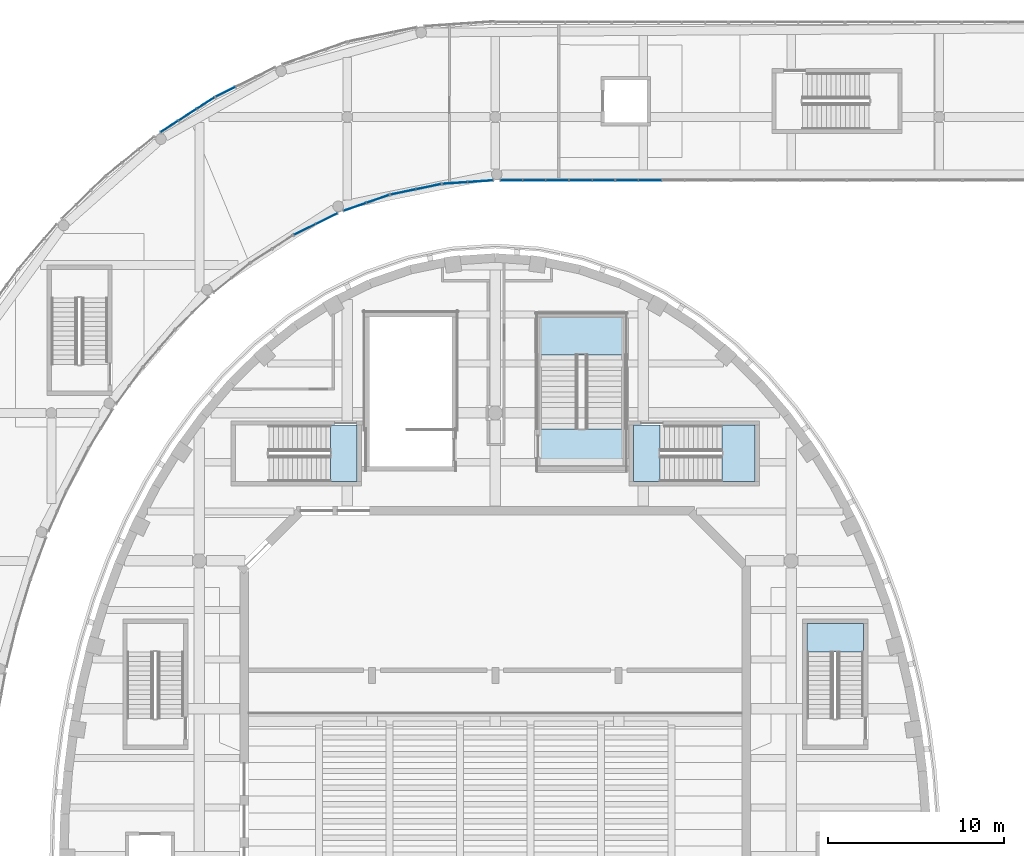
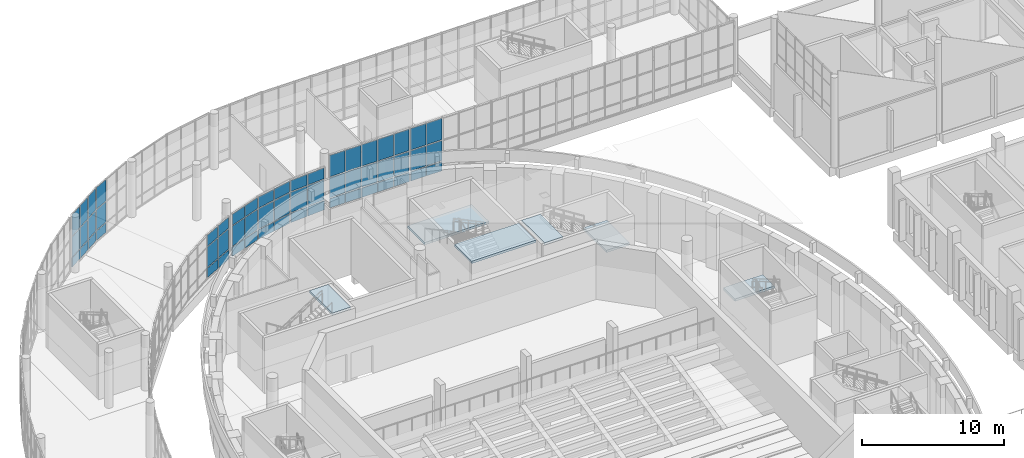
# One storey, part 52 of 119: 57 plates, 6 slabs, 12 elements without a shape of their own.
"""IFC4 building model written with IfcOpenShell, lengths in metres."""

from ifc_helpers import new_model, si_unit, direction, frame, origin, origin_2d, place, context, subcontext, project, spatial, polyline, rectangle, outline, extrude, material, layer, layer_set, type_object, element, aggregate, save


model = new_model("IFC4")

# Units and contexts
model_context = context("Model", 3, precision=1e-05, world=origin(), true_north=direction((0.0, 1.0)))
body_context = subcontext(model_context, "Body", "Model", "MODEL_VIEW")
ifc_project = project(units=[si_unit("LENGTHUNIT", "METRE"), si_unit("AREAUNIT", "SQUARE_METRE"), si_unit("VOLUMEUNIT", "CUBIC_METRE"), si_unit("PLANEANGLEUNIT", "RADIAN"), si_unit("MASSUNIT", "GRAM", prefix="KILO")], contexts=[model_context])

# Site, building, storey
site_placement = place(None, origin())
site = spatial("IfcSite", under=ifc_project, at=site_placement, CompositionType="ELEMENT")
building_placement = place(site_placement, origin())
building = spatial("IfcBuilding", under=site, at=building_placement, Name="Larchfold Concert Hall", CompositionType="ELEMENT")
storey_placement = place(building_placement, frame((0.0, 0.0, 4.800048828125)))
storey = spatial("IfcBuildingStorey", under=building, at=storey_placement, Name="L01", CompositionType="ELEMENT", Elevation=4.800048828125)

# Curtain wall, plates
ifc_material_1 = material(Name="Anodised graphite aluminium curtain wall", Category="aluminium")
ifc_layer_1 = layer(ifc_material_1, 0.14990234375)
ifc_layer_set_1 = layer_set([ifc_layer_1], Name="Anodised graphite aluminium curtain wall")
curtain_wall_type = type_object("IfcCurtainWallType", Name="Curtain wall WG", PredefinedType="NOTDEFINED", material=ifc_layer_set_1)
curtain_wall_1_placement = place(storey_placement, origin())
curtain_wall_1 = element("IfcCurtainWall", 1, at=curtain_wall_1_placement, inside=storey, type_object=curtain_wall_type, Name="Curtain wall CW0162", PredefinedType="NOTDEFINED")
ifc_material_2 = material(Name="Insulated glazing unit, glass", Category="glass")
ifc_layer_2 = layer(ifc_material_2, 0.028076171875)
ifc_layer_set_2 = layer_set([ifc_layer_2], Name="Insulated glazing unit, glass")
plate_type_1 = type_object("IfcPlateType", Name="Glass panel 28", PredefinedType="CURTAIN_PANEL", material=ifc_layer_set_2)
plate_1_placement = place(storey_placement, frame((31.788330078125, 120.216796875, 0.93994140625), z_axis=(0.0, 0.0, 1.0), x_axis=(0.896864773907, 0.442304846598, 0.0)))
plate_1 = element("IfcPlate", 2, at=plate_1_placement, type_object=plate_type_1, Name="CW0162 panel 1.2", PredefinedType="CURTAIN_PANEL", context=body_context, shape_type="SweptSolid", body=[
    extrude(rectangle(XDim=1.324462890625, YDim=0.028076171875, at=origin_2d()), origin(), (0.0, 0.0, 1.0), 1.719970703125),
])
plate_2_placement = place(storey_placement, frame((31.788330078125, 120.216796875, 2.740234375), z_axis=(0.0, 0.0, 1.0), x_axis=(0.896864773907, 0.442304846598, 0.0)))
plate_2 = element("IfcPlate", 3, at=plate_2_placement, type_object=plate_type_1, Name="CW0162 panel 1.3", PredefinedType="CURTAIN_PANEL", context=body_context, shape_type="SweptSolid", body=[
    extrude(rectangle(XDim=1.324462890625, YDim=0.028076171875, at=origin_2d()), origin(), (0.0, 0.0, 1.0), 0.929931640625),
])
plate_3_placement = place(storey_placement, frame((33.030029296875, 120.829345703125, 0.93994140625), z_axis=(0.0, 0.0, 1.0), x_axis=(0.896864773907, 0.442304846598, 0.0)))
plate_3 = element("IfcPlate", 4, at=plate_3_placement, type_object=plate_type_1, Name="CW0162 panel 2.2", PredefinedType="CURTAIN_PANEL", context=body_context, shape_type="SweptSolid", body=[
    extrude(rectangle(XDim=1.324462890625, YDim=0.028076171875, at=origin_2d()), origin(), (0.0, 0.0, 1.0), 1.719970703125),
])
plate_4_placement = place(storey_placement, frame((33.030029296875, 120.829345703125, 2.740234375), z_axis=(0.0, 0.0, 1.0), x_axis=(0.896864773907, 0.442304846598, 0.0)))
plate_4 = element("IfcPlate", 5, at=plate_4_placement, type_object=plate_type_1, Name="CW0162 panel 2.3", PredefinedType="CURTAIN_PANEL", context=body_context, shape_type="SweptSolid", body=[
    extrude(rectangle(XDim=1.324462890625, YDim=0.028076171875, at=origin_2d()), origin(), (0.0, 0.0, 1.0), 0.929931640625),
])

curtain_wall_2_placement = place(storey_placement, origin())
curtain_wall_2 = element("IfcCurtainWall", 6, at=curtain_wall_2_placement, inside=storey, type_object=curtain_wall_type, Name="Curtain wall CW0163", PredefinedType="NOTDEFINED")
plate_5_placement = place(storey_placement, frame((34.627685546875, 121.49609375, 0.93994140625), z_axis=(0.0, 0.0, 1.0), x_axis=(0.944341810504, 0.32896587199, 0.0)))
plate_5 = element("IfcPlate", 7, at=plate_5_placement, type_object=plate_type_1, Name="CW0163 panel 1.2", PredefinedType="CURTAIN_PANEL", context=body_context, shape_type="SweptSolid", body=[
    extrude(rectangle(XDim=1.32421875, YDim=0.028076171875, at=origin_2d()), origin(), (0.0, 0.0, 1.0), 1.719970703125),
])
plate_6_placement = place(storey_placement, frame((34.627685546875, 121.49609375, 2.740234375), z_axis=(0.0, 0.0, 1.0), x_axis=(0.944341810504, 0.32896587199, 0.0)))
plate_6 = element("IfcPlate", 8, at=plate_6_placement, type_object=plate_type_1, Name="CW0163 panel 1.3", PredefinedType="CURTAIN_PANEL", context=body_context, shape_type="SweptSolid", body=[
    extrude(rectangle(XDim=1.32421875, YDim=0.028076171875, at=origin_2d()), origin(), (0.0, 0.0, 1.0), 0.929931640625),
])
plate_7_placement = place(storey_placement, frame((35.934814453125, 121.951416015625, 0.93994140625), z_axis=(0.0, 0.0, 1.0), x_axis=(0.944341810504, 0.32896587199, 0.0)))
plate_7 = element("IfcPlate", 9, at=plate_7_placement, type_object=plate_type_1, Name="CW0163 panel 2.2", PredefinedType="CURTAIN_PANEL", context=body_context, shape_type="SweptSolid", body=[
    extrude(rectangle(XDim=1.32421875, YDim=0.028076171875, at=origin_2d()), origin(), (0.0, 0.0, 1.0), 1.719970703125),
])
plate_8_placement = place(storey_placement, frame((35.934814453125, 121.951416015625, 2.740234375), z_axis=(0.0, 0.0, 1.0), x_axis=(0.944341810504, 0.32896587199, 0.0)))
plate_8 = element("IfcPlate", 10, at=plate_8_placement, type_object=plate_type_1, Name="CW0163 panel 2.3", PredefinedType="CURTAIN_PANEL", context=body_context, shape_type="SweptSolid", body=[
    extrude(rectangle(XDim=1.32421875, YDim=0.028076171875, at=origin_2d()), origin(), (0.0, 0.0, 1.0), 0.929931640625),
])

curtain_wall_3_placement = place(storey_placement, origin())
curtain_wall_3 = element("IfcCurtainWall", 11, at=curtain_wall_3_placement, inside=storey, type_object=curtain_wall_type, Name="Curtain wall CW0164", PredefinedType="NOTDEFINED")
plate_9_placement = place(storey_placement, frame((37.370361328125, 122.34521484375, 0.93994140625), z_axis=(0.0, 0.0, 1.0), x_axis=(0.979165703957, 0.203062857741, 0.0)))
plate_9 = element("IfcPlate", 12, at=plate_9_placement, type_object=plate_type_1, Name="CW0164 panel 1.2", PredefinedType="CURTAIN_PANEL", context=body_context, shape_type="SweptSolid", body=[
    extrude(rectangle(XDim=1.41943359375, YDim=0.028076171875, at=origin_2d()), origin(), (0.0, 0.0, 1.0), 1.719970703125),
])
plate_10_placement = place(storey_placement, frame((37.370361328125, 122.34521484375, 2.740234375), z_axis=(0.0, 0.0, 1.0), x_axis=(0.979165703957, 0.203062857741, 0.0)))
plate_10 = element("IfcPlate", 13, at=plate_10_placement, type_object=plate_type_1, Name="CW0164 panel 1.3", PredefinedType="CURTAIN_PANEL", context=body_context, shape_type="SweptSolid", body=[
    extrude(rectangle(XDim=1.41943359375, YDim=0.028076171875, at=origin_2d()), origin(), (0.0, 0.0, 1.0), 0.929931640625),
])
plate_11_placement = place(storey_placement, frame((38.819091796875, 122.645751953125, 0.93994140625), z_axis=(0.0, 0.0, 1.0), x_axis=(0.979165703957, 0.203062857741, 0.0)))
plate_11 = element("IfcPlate", 14, at=plate_11_placement, type_object=plate_type_1, Name="CW0164 panel 2.2", PredefinedType="CURTAIN_PANEL", context=body_context, shape_type="SweptSolid", body=[
    extrude(rectangle(XDim=1.41943359375, YDim=0.028076171875, at=origin_2d()), origin(), (0.0, 0.0, 1.0), 1.719970703125),
])
plate_12_placement = place(storey_placement, frame((38.819091796875, 122.645751953125, 2.740234375), z_axis=(0.0, 0.0, 1.0), x_axis=(0.979165703957, 0.203062857741, 0.0)))
plate_12 = element("IfcPlate", 15, at=plate_12_placement, type_object=plate_type_1, Name="CW0164 panel 2.3", PredefinedType="CURTAIN_PANEL", context=body_context, shape_type="SweptSolid", body=[
    extrude(rectangle(XDim=1.41943359375, YDim=0.028076171875, at=origin_2d()), origin(), (0.0, 0.0, 1.0), 0.929931640625),
])

curtain_wall_4_placement = place(storey_placement, origin())
curtain_wall_4 = element("IfcCurtainWall", 16, at=curtain_wall_4_placement, inside=storey, type_object=curtain_wall_type, Name="Curtain wall CW0165", PredefinedType="NOTDEFINED")
plate_13_placement = place(storey_placement, frame((40.323486328125, 122.853759765625, 0.93994140625), z_axis=(0.0, 0.0, 1.0), x_axis=(0.997637375842, 0.068699827674, 0.0)))
plate_13 = element("IfcPlate", 17, at=plate_13_placement, type_object=plate_type_1, Name="CW0165 panel 1.2", PredefinedType="CURTAIN_PANEL", context=body_context, shape_type="SweptSolid", body=[
    extrude(rectangle(XDim=1.384765625, YDim=0.028076171875, at=origin_2d()), origin(), (0.0, 0.0, 1.0), 1.719970703125),
])
plate_14_placement = place(storey_placement, frame((40.323486328125, 122.853759765625, 2.740234375), z_axis=(0.0, 0.0, 1.0), x_axis=(0.997637375842, 0.068699827674, 0.0)))
plate_14 = element("IfcPlate", 18, at=plate_14_placement, type_object=plate_type_1, Name="CW0165 panel 1.3", PredefinedType="CURTAIN_PANEL", context=body_context, shape_type="SweptSolid", body=[
    extrude(rectangle(XDim=1.384765625, YDim=0.028076171875, at=origin_2d()), origin(), (0.0, 0.0, 1.0), 0.929931640625),
])
plate_15_placement = place(storey_placement, frame((41.7646484375, 122.952880859375, 0.93994140625), z_axis=(0.0, 0.0, 1.0), x_axis=(0.997637375842, 0.068699827674, 0.0)))
plate_15 = element("IfcPlate", 19, at=plate_15_placement, type_object=plate_type_1, Name="CW0165 panel 2.2", PredefinedType="CURTAIN_PANEL", context=body_context, shape_type="SweptSolid", body=[
    extrude(rectangle(XDim=1.384765625, YDim=0.028076171875, at=origin_2d()), origin(), (0.0, 0.0, 1.0), 1.719970703125),
])
plate_16_placement = place(storey_placement, frame((41.7646484375, 122.952880859375, 2.740234375), z_axis=(0.0, 0.0, 1.0), x_axis=(0.997637375842, 0.068699827674, 0.0)))
plate_16 = element("IfcPlate", 20, at=plate_16_placement, type_object=plate_type_1, Name="CW0165 panel 2.3", PredefinedType="CURTAIN_PANEL", context=body_context, shape_type="SweptSolid", body=[
    extrude(rectangle(XDim=1.384765625, YDim=0.028076171875, at=origin_2d()), origin(), (0.0, 0.0, 1.0), 0.929931640625),
])

curtain_wall_5_placement = place(storey_placement, origin())
curtain_wall_5 = element("IfcCurtainWall", 21, at=curtain_wall_5_placement, inside=storey, type_object=curtain_wall_type, Name="Curtain wall CW0166", PredefinedType="NOTDEFINED")
plate_17_placement = place(storey_placement, frame((43.513671875, 123.0, 0.93994140625), z_axis=(0.0, 0.0, 1.0), x_axis=(1.0, 0.0, 0.0)))
plate_17 = element("IfcPlate", 22, at=plate_17_placement, type_object=plate_type_1, Name="CW0166 panel 1.2", PredefinedType="CURTAIN_PANEL", context=body_context, shape_type="SweptSolid", body=[
    extrude(rectangle(XDim=1.22412109375, YDim=0.028076171875, at=origin_2d()), origin(), (0.0, 0.0, 1.0), 1.719970703125),
])
plate_18_placement = place(storey_placement, frame((43.513671875, 123.0, 2.740234375), z_axis=(0.0, 0.0, 1.0), x_axis=(1.0, 0.0, 0.0)))
plate_18 = element("IfcPlate", 23, at=plate_18_placement, type_object=plate_type_1, Name="CW0166 panel 1.3", PredefinedType="CURTAIN_PANEL", context=body_context, shape_type="SweptSolid", body=[
    extrude(rectangle(XDim=1.22412109375, YDim=0.028076171875, at=origin_2d()), origin(), (0.0, 0.0, 1.0), 1.829833984375),
])
plate_19_placement = place(storey_placement, frame((44.812744140625, 123.0, 0.93994140625), z_axis=(0.0, 0.0, 1.0), x_axis=(1.0, 0.0, 0.0)))
plate_19 = element("IfcPlate", 24, at=plate_19_placement, type_object=plate_type_1, Name="CW0166 panel 2.2", PredefinedType="CURTAIN_PANEL", context=body_context, shape_type="SweptSolid", body=[
    extrude(rectangle(XDim=1.254150390625, YDim=0.028076171875, at=origin_2d()), origin(), (0.0, 0.0, 1.0), 1.719970703125),
])
plate_20_placement = place(storey_placement, frame((44.812744140625, 123.0, 2.740234375), z_axis=(0.0, 0.0, 1.0), x_axis=(1.0, 0.0, 0.0)))
plate_20 = element("IfcPlate", 25, at=plate_20_placement, type_object=plate_type_1, Name="CW0166 panel 2.3", PredefinedType="CURTAIN_PANEL", context=body_context, shape_type="SweptSolid", body=[
    extrude(rectangle(XDim=1.254150390625, YDim=0.028076171875, at=origin_2d()), origin(), (0.0, 0.0, 1.0), 1.829833984375),
])
plate_21_placement = place(storey_placement, frame((46.126708984375, 123.0, 0.93994140625), z_axis=(0.0, 0.0, 1.0), x_axis=(1.0, 0.0, 0.0)))
plate_21 = element("IfcPlate", 26, at=plate_21_placement, type_object=plate_type_1, Name="CW0166 panel 3.2", PredefinedType="CURTAIN_PANEL", context=body_context, shape_type="SweptSolid", body=[
    extrude(rectangle(XDim=1.254150390625, YDim=0.028076171875, at=origin_2d()), origin(), (0.0, 0.0, 1.0), 1.719970703125),
])
plate_22_placement = place(storey_placement, frame((46.126708984375, 123.0, 2.740234375), z_axis=(0.0, 0.0, 1.0), x_axis=(1.0, 0.0, 0.0)))
plate_22 = element("IfcPlate", 27, at=plate_22_placement, type_object=plate_type_1, Name="CW0166 panel 3.3", PredefinedType="CURTAIN_PANEL", context=body_context, shape_type="SweptSolid", body=[
    extrude(rectangle(XDim=1.254150390625, YDim=0.028076171875, at=origin_2d()), origin(), (0.0, 0.0, 1.0), 1.829833984375),
])
plate_23_placement = place(storey_placement, frame((47.440673828125, 123.0, 0.93994140625), z_axis=(0.0, 0.0, 1.0), x_axis=(1.0, 0.0, 0.0)))
plate_23 = element("IfcPlate", 28, at=plate_23_placement, type_object=plate_type_1, Name="CW0166 panel 4.2", PredefinedType="CURTAIN_PANEL", context=body_context, shape_type="SweptSolid", body=[
    extrude(rectangle(XDim=1.254150390625, YDim=0.028076171875, at=origin_2d()), origin(), (0.0, 0.0, 1.0), 1.719970703125),
])
plate_24_placement = place(storey_placement, frame((47.440673828125, 123.0, 2.740234375), z_axis=(0.0, 0.0, 1.0), x_axis=(1.0, 0.0, 0.0)))
plate_24 = element("IfcPlate", 29, at=plate_24_placement, type_object=plate_type_1, Name="CW0166 panel 4.3", PredefinedType="CURTAIN_PANEL", context=body_context, shape_type="SweptSolid", body=[
    extrude(rectangle(XDim=1.254150390625, YDim=0.028076171875, at=origin_2d()), origin(), (0.0, 0.0, 1.0), 1.829833984375),
])
plate_25_placement = place(storey_placement, frame((48.73974609375, 123.0, 0.93994140625), z_axis=(0.0, 0.0, 1.0), x_axis=(1.0, 0.0, 0.0)))
plate_25 = element("IfcPlate", 30, at=plate_25_placement, type_object=plate_type_1, Name="CW0166 panel 5.2", PredefinedType="CURTAIN_PANEL", context=body_context, shape_type="SweptSolid", body=[
    extrude(rectangle(XDim=1.22412109375, YDim=0.028076171875, at=origin_2d()), origin(), (0.0, 0.0, 1.0), 1.719970703125),
])
plate_26_placement = place(storey_placement, frame((48.73974609375, 123.0, 2.740234375), z_axis=(0.0, 0.0, 1.0), x_axis=(1.0, 0.0, 0.0)))
plate_26 = element("IfcPlate", 31, at=plate_26_placement, type_object=plate_type_1, Name="CW0166 panel 5.3", PredefinedType="CURTAIN_PANEL", context=body_context, shape_type="SweptSolid", body=[
    extrude(rectangle(XDim=1.22412109375, YDim=0.028076171875, at=origin_2d()), origin(), (0.0, 0.0, 1.0), 1.829833984375),
])

curtain_wall_6_placement = place(storey_placement, origin())
curtain_wall_6 = element("IfcCurtainWall", 32, at=curtain_wall_6_placement, inside=storey, type_object=curtain_wall_type, Name="Curtain wall CW0167", PredefinedType="NOTDEFINED")
plate_27_placement = place(storey_placement, frame((50.083984375, 123.0, 0.93994140625), z_axis=(0.0, 0.0, 1.0), x_axis=(1.0, 0.0, 0.0)))
plate_27 = element("IfcPlate", 33, at=plate_27_placement, type_object=plate_type_1, Name="CW0167 panel 1.2", PredefinedType="CURTAIN_PANEL", context=body_context, shape_type="SweptSolid", body=[
    extrude(rectangle(XDim=1.22412109375, YDim=0.028076171875, at=origin_2d()), origin(), (0.0, 0.0, 1.0), 1.719970703125),
])
plate_28_placement = place(storey_placement, frame((50.083984375, 123.0, 2.740234375), z_axis=(0.0, 0.0, 1.0), x_axis=(1.0, 0.0, 0.0)))
plate_28 = element("IfcPlate", 34, at=plate_28_placement, type_object=plate_type_1, Name="CW0167 panel 1.3", PredefinedType="CURTAIN_PANEL", context=body_context, shape_type="SweptSolid", body=[
    extrude(rectangle(XDim=1.22412109375, YDim=0.028076171875, at=origin_2d()), origin(), (0.0, 0.0, 1.0), 1.829833984375),
])
plate_29_placement = place(storey_placement, frame((51.3828125, 123.0, 0.93994140625), z_axis=(0.0, 0.0, 1.0), x_axis=(1.0, 0.0, 0.0)))
plate_29 = element("IfcPlate", 35, at=plate_29_placement, type_object=plate_type_1, Name="CW0167 panel 2.2", PredefinedType="CURTAIN_PANEL", context=body_context, shape_type="SweptSolid", body=[
    extrude(rectangle(XDim=1.25390625, YDim=0.028076171875, at=origin_2d()), origin(), (0.0, 0.0, 1.0), 1.719970703125),
])
plate_30_placement = place(storey_placement, frame((51.3828125, 123.0, 2.740234375), z_axis=(0.0, 0.0, 1.0), x_axis=(1.0, 0.0, 0.0)))
plate_30 = element("IfcPlate", 36, at=plate_30_placement, type_object=plate_type_1, Name="CW0167 panel 2.3", PredefinedType="CURTAIN_PANEL", context=body_context, shape_type="SweptSolid", body=[
    extrude(rectangle(XDim=1.25390625, YDim=0.028076171875, at=origin_2d()), origin(), (0.0, 0.0, 1.0), 1.829833984375),
])

curtain_wall_7_placement = place(storey_placement, origin())
curtain_wall_7 = element("IfcCurtainWall", 37, at=curtain_wall_7_placement, inside=storey, type_object=curtain_wall_type, Name="Curtain wall CW0180", PredefinedType="NOTDEFINED")
plate_31_placement = place(storey_placement, frame((27.285888671875, 128.03125, 0.93994140625), z_axis=(0.0, 0.0, 1.0), x_axis=(-0.896826030069, -0.44238339909, 0.0)))
plate_31 = element("IfcPlate", 38, at=plate_31_placement, type_object=plate_type_1, Name="CW0180 panel 3.2", PredefinedType="CURTAIN_PANEL", context=body_context, shape_type="SweptSolid", body=[
    extrude(rectangle(XDim=1.192138671875, YDim=0.028076171875, at=origin_2d()), origin(), (0.0, 0.0, 1.0), 1.719970703125),
])
plate_32_placement = place(storey_placement, frame((27.285888671875, 128.03125, 2.740234375), z_axis=(0.0, 0.0, 1.0), x_axis=(-0.896826030069, -0.44238339909, 0.0)))
plate_32 = element("IfcPlate", 39, at=plate_32_placement, type_object=plate_type_1, Name="CW0180 panel 3.3", PredefinedType="CURTAIN_PANEL", context=body_context, shape_type="SweptSolid", body=[
    extrude(rectangle(XDim=1.192138671875, YDim=0.028076171875, at=origin_2d()), origin(), (0.0, 0.0, 1.0), 1.829833984375),
])

curtain_wall_8_placement = place(storey_placement, origin())
curtain_wall_8 = element("IfcCurtainWall", 40, at=curtain_wall_8_placement, inside=storey, type_object=curtain_wall_type, Name="Curtain wall CW0181", PredefinedType="NOTDEFINED")
plate_33_placement = place(storey_placement, frame((26.162353515625, 127.39599609375, 0.93994140625), z_axis=(0.0, 0.0, 1.0), x_axis=(-0.840531289651, -0.541763002722, 0.0)))
plate_33 = element("IfcPlate", 41, at=plate_33_placement, type_object=plate_type_1, Name="CW0181 panel 1.2", PredefinedType="CURTAIN_PANEL", context=body_context, shape_type="SweptSolid", body=[
    extrude(rectangle(XDim=1.153076171875, YDim=0.028076171875, at=origin_2d()), origin(), (0.0, 0.0, 1.0), 1.719970703125),
])
plate_34_placement = place(storey_placement, frame((26.162353515625, 127.39599609375, 2.740234375), z_axis=(0.0, 0.0, 1.0), x_axis=(-0.840531289651, -0.541763002722, 0.0)))
plate_34 = element("IfcPlate", 42, at=plate_34_placement, type_object=plate_type_1, Name="CW0181 panel 1.3", PredefinedType="CURTAIN_PANEL", context=body_context, shape_type="SweptSolid", body=[
    extrude(rectangle(XDim=1.153076171875, YDim=0.028076171875, at=origin_2d()), origin(), (0.0, 0.0, 1.0), 1.829833984375),
])
plate_35_placement = place(storey_placement, frame((25.130126953125, 126.730712890625, 0.93994140625), z_axis=(0.0, 0.0, 1.0), x_axis=(-0.840531289651, -0.541763002722, 0.0)))
plate_35 = element("IfcPlate", 43, at=plate_35_placement, type_object=plate_type_1, Name="CW0181 panel 2.2", PredefinedType="CURTAIN_PANEL", context=body_context, shape_type="SweptSolid", body=[
    extrude(rectangle(XDim=1.18310546875, YDim=0.028076171875, at=origin_2d()), origin(), (0.0, 0.0, 1.0), 1.719970703125),
])
plate_36_placement = place(storey_placement, frame((25.130126953125, 126.730712890625, 2.740234375), z_axis=(0.0, 0.0, 1.0), x_axis=(-0.840531289651, -0.541763002722, 0.0)))
plate_36 = element("IfcPlate", 44, at=plate_36_placement, type_object=plate_type_1, Name="CW0181 panel 2.3", PredefinedType="CURTAIN_PANEL", context=body_context, shape_type="SweptSolid", body=[
    extrude(rectangle(XDim=1.18310546875, YDim=0.028076171875, at=origin_2d()), origin(), (0.0, 0.0, 1.0), 1.829833984375),
])
plate_37_placement = place(storey_placement, frame((24.097900390625, 126.0654296875, 0.93994140625), z_axis=(0.0, 0.0, 1.0), x_axis=(-0.840531289651, -0.541763002722, 0.0)))
plate_37 = element("IfcPlate", 45, at=plate_37_placement, type_object=plate_type_1, Name="CW0181 panel 3.2", PredefinedType="CURTAIN_PANEL", context=body_context, shape_type="SweptSolid", body=[
    extrude(rectangle(XDim=1.153076171875, YDim=0.028076171875, at=origin_2d()), origin(), (0.0, 0.0, 1.0), 1.719970703125),
])
plate_38_placement = place(storey_placement, frame((24.097900390625, 126.0654296875, 2.740234375), z_axis=(0.0, 0.0, 1.0), x_axis=(-0.840531289651, -0.541763002722, 0.0)))
plate_38 = element("IfcPlate", 46, at=plate_38_placement, type_object=plate_type_1, Name="CW0181 panel 3.3", PredefinedType="CURTAIN_PANEL", context=body_context, shape_type="SweptSolid", body=[
    extrude(rectangle(XDim=1.153076171875, YDim=0.028076171875, at=origin_2d()), origin(), (0.0, 0.0, 1.0), 1.829833984375),
])

# Plate
ifc_material_3 = material(Name="White insulated panel")
ifc_layer_3 = layer(ifc_material_3, 0.06005859375)
ifc_layer_set_3 = layer_set([ifc_layer_3], Name="White insulated panel")
plate_type_2 = type_object("IfcPlateType", Name="Insulated spandrel panel 60", PredefinedType="CURTAIN_PANEL", material=ifc_layer_set_3)
plate_39_placement = place(storey_placement, frame((31.788330078125, 120.216796875, 0.080078125), z_axis=(0.0, 0.0, 1.0), x_axis=(0.896864773907, 0.442304846598, 0.0)))
plate_39 = element("IfcPlate", 47, at=plate_39_placement, type_object=plate_type_2, Name="CW0162 panel 1.1", PredefinedType="CURTAIN_PANEL", context=body_context, shape_type="SweptSolid", body=[
    extrude(rectangle(XDim=1.324462890625, YDim=0.06005859375, at=origin_2d()), origin(), (0.0, 0.0, 1.0), 0.77978515625),
])

plate_40_placement = place(storey_placement, frame((33.030029296875, 120.829345703125, 0.080078125), z_axis=(0.0, 0.0, 1.0), x_axis=(0.896864773907, 0.442304846598, 0.0)))
plate_40 = element("IfcPlate", 48, at=plate_40_placement, type_object=plate_type_2, Name="CW0162 panel 2.1", PredefinedType="CURTAIN_PANEL", context=body_context, shape_type="SweptSolid", body=[
    extrude(rectangle(XDim=1.324462890625, YDim=0.06005859375, at=origin_2d()), origin(), (0.0, 0.0, 1.0), 0.77978515625),
])

aggregate(curtain_wall_1, [plate_39, plate_1, plate_2, plate_40, plate_3, plate_4])

plate_41_placement = place(storey_placement, frame((34.627685546875, 121.49609375, 0.080078125), z_axis=(0.0, 0.0, 1.0), x_axis=(0.944341810504, 0.32896587199, 0.0)))
plate_41 = element("IfcPlate", 49, at=plate_41_placement, type_object=plate_type_2, Name="CW0163 panel 1.1", PredefinedType="CURTAIN_PANEL", context=body_context, shape_type="SweptSolid", body=[
    extrude(rectangle(XDim=1.32421875, YDim=0.06005859375, at=origin_2d()), origin(), (0.0, 0.0, 1.0), 0.77978515625),
])

plate_42_placement = place(storey_placement, frame((35.934814453125, 121.951416015625, 0.080078125), z_axis=(0.0, 0.0, 1.0), x_axis=(0.944341810504, 0.32896587199, 0.0)))
plate_42 = element("IfcPlate", 50, at=plate_42_placement, type_object=plate_type_2, Name="CW0163 panel 2.1", PredefinedType="CURTAIN_PANEL", context=body_context, shape_type="SweptSolid", body=[
    extrude(rectangle(XDim=1.32421875, YDim=0.06005859375, at=origin_2d()), origin(), (0.0, 0.0, 1.0), 0.77978515625),
])

aggregate(curtain_wall_2, [plate_41, plate_5, plate_6, plate_42, plate_7, plate_8])

plate_43_placement = place(storey_placement, frame((37.370361328125, 122.34521484375, 0.080078125), z_axis=(0.0, 0.0, 1.0), x_axis=(0.979165703957, 0.203062857741, 0.0)))
plate_43 = element("IfcPlate", 51, at=plate_43_placement, type_object=plate_type_2, Name="CW0164 panel 1.1", PredefinedType="CURTAIN_PANEL", context=body_context, shape_type="SweptSolid", body=[
    extrude(rectangle(XDim=1.41943359375, YDim=0.06005859375, at=origin_2d()), origin(), (0.0, 0.0, 1.0), 0.77978515625),
])

plate_44_placement = place(storey_placement, frame((38.819091796875, 122.645751953125, 0.080078125), z_axis=(0.0, 0.0, 1.0), x_axis=(0.979165703957, 0.203062857741, 0.0)))
plate_44 = element("IfcPlate", 52, at=plate_44_placement, type_object=plate_type_2, Name="CW0164 panel 2.1", PredefinedType="CURTAIN_PANEL", context=body_context, shape_type="SweptSolid", body=[
    extrude(rectangle(XDim=1.41943359375, YDim=0.06005859375, at=origin_2d()), origin(), (0.0, 0.0, 1.0), 0.77978515625),
])

aggregate(curtain_wall_3, [plate_43, plate_9, plate_10, plate_44, plate_11, plate_12])

plate_45_placement = place(storey_placement, frame((40.323486328125, 122.853759765625, 0.080078125), z_axis=(0.0, 0.0, 1.0), x_axis=(0.997637375842, 0.068699827674, 0.0)))
plate_45 = element("IfcPlate", 53, at=plate_45_placement, type_object=plate_type_2, Name="CW0165 panel 1.1", PredefinedType="CURTAIN_PANEL", context=body_context, shape_type="SweptSolid", body=[
    extrude(rectangle(XDim=1.384765625, YDim=0.06005859375, at=origin_2d()), origin(), (0.0, 0.0, 1.0), 0.77978515625),
])

plate_46_placement = place(storey_placement, frame((41.7646484375, 122.952880859375, 0.080078125), z_axis=(0.0, 0.0, 1.0), x_axis=(0.997637375842, 0.068699827674, 0.0)))
plate_46 = element("IfcPlate", 54, at=plate_46_placement, type_object=plate_type_2, Name="CW0165 panel 2.1", PredefinedType="CURTAIN_PANEL", context=body_context, shape_type="SweptSolid", body=[
    extrude(rectangle(XDim=1.384765625, YDim=0.06005859375, at=origin_2d()), origin(), (0.0, 0.0, 1.0), 0.77978515625),
])

aggregate(curtain_wall_4, [plate_45, plate_13, plate_14, plate_46, plate_15, plate_16])

plate_47_placement = place(storey_placement, frame((43.513671875, 123.0, 0.080078125), z_axis=(0.0, 0.0, 1.0), x_axis=(1.0, 0.0, 0.0)))
plate_47 = element("IfcPlate", 55, at=plate_47_placement, type_object=plate_type_2, Name="CW0166 panel 1.1", PredefinedType="CURTAIN_PANEL", context=body_context, shape_type="SweptSolid", body=[
    extrude(rectangle(XDim=1.22412109375, YDim=0.06005859375, at=origin_2d()), origin(), (0.0, 0.0, 1.0), 0.77978515625),
])

plate_48_placement = place(storey_placement, frame((44.812744140625, 123.0, 0.080078125), z_axis=(0.0, 0.0, 1.0), x_axis=(1.0, 0.0, 0.0)))
plate_48 = element("IfcPlate", 56, at=plate_48_placement, type_object=plate_type_2, Name="CW0166 panel 2.1", PredefinedType="CURTAIN_PANEL", context=body_context, shape_type="SweptSolid", body=[
    extrude(rectangle(XDim=1.254150390625, YDim=0.06005859375, at=origin_2d()), origin(), (0.0, 0.0, 1.0), 0.77978515625),
])

plate_49_placement = place(storey_placement, frame((46.126708984375, 123.0, 0.080078125), z_axis=(0.0, 0.0, 1.0), x_axis=(1.0, 0.0, 0.0)))
plate_49 = element("IfcPlate", 57, at=plate_49_placement, type_object=plate_type_2, Name="CW0166 panel 3.1", PredefinedType="CURTAIN_PANEL", context=body_context, shape_type="SweptSolid", body=[
    extrude(rectangle(XDim=1.254150390625, YDim=0.06005859375, at=origin_2d()), origin(), (0.0, 0.0, 1.0), 0.77978515625),
])

plate_50_placement = place(storey_placement, frame((47.440673828125, 123.0, 0.080078125), z_axis=(0.0, 0.0, 1.0), x_axis=(1.0, 0.0, 0.0)))
plate_50 = element("IfcPlate", 58, at=plate_50_placement, type_object=plate_type_2, Name="CW0166 panel 4.1", PredefinedType="CURTAIN_PANEL", context=body_context, shape_type="SweptSolid", body=[
    extrude(rectangle(XDim=1.254150390625, YDim=0.06005859375, at=origin_2d()), origin(), (0.0, 0.0, 1.0), 0.77978515625),
])

plate_51_placement = place(storey_placement, frame((48.73974609375, 123.0, 0.080078125), z_axis=(0.0, 0.0, 1.0), x_axis=(1.0, 0.0, 0.0)))
plate_51 = element("IfcPlate", 59, at=plate_51_placement, type_object=plate_type_2, Name="CW0166 panel 5.1", PredefinedType="CURTAIN_PANEL", context=body_context, shape_type="SweptSolid", body=[
    extrude(rectangle(XDim=1.22412109375, YDim=0.06005859375, at=origin_2d()), origin(), (0.0, 0.0, 1.0), 0.77978515625),
])

aggregate(curtain_wall_5, [plate_47, plate_17, plate_18, plate_48, plate_19, plate_20, plate_49, plate_21, plate_22, plate_50, plate_23, plate_24, plate_51, plate_25, plate_26])

plate_52_placement = place(storey_placement, frame((50.083984375, 123.0, 0.080078125), z_axis=(0.0, 0.0, 1.0), x_axis=(1.0, 0.0, 0.0)))
plate_52 = element("IfcPlate", 60, at=plate_52_placement, type_object=plate_type_2, Name="CW0167 panel 1.1", PredefinedType="CURTAIN_PANEL", context=body_context, shape_type="SweptSolid", body=[
    extrude(rectangle(XDim=1.22412109375, YDim=0.06005859375, at=origin_2d()), origin(), (0.0, 0.0, 1.0), 0.77978515625),
])

plate_53_placement = place(storey_placement, frame((51.3828125, 123.0, 0.080078125), z_axis=(0.0, 0.0, 1.0), x_axis=(1.0, 0.0, 0.0)))
plate_53 = element("IfcPlate", 61, at=plate_53_placement, type_object=plate_type_2, Name="CW0167 panel 2.1", PredefinedType="CURTAIN_PANEL", context=body_context, shape_type="SweptSolid", body=[
    extrude(rectangle(XDim=1.25390625, YDim=0.06005859375, at=origin_2d()), origin(), (0.0, 0.0, 1.0), 0.77978515625),
])

aggregate(curtain_wall_6, [plate_52, plate_27, plate_28, plate_53, plate_29, plate_30])

plate_54_placement = place(storey_placement, frame((27.285888671875, 128.03125, 0.080078125), z_axis=(0.0, 0.0, 1.0), x_axis=(-0.896826030069, -0.44238339909, 0.0)))
plate_54 = element("IfcPlate", 62, at=plate_54_placement, type_object=plate_type_2, Name="CW0180 panel 3.1", PredefinedType="CURTAIN_PANEL", context=body_context, shape_type="SweptSolid", body=[
    extrude(rectangle(XDim=1.192138671875, YDim=0.06005859375, at=origin_2d()), origin(), (0.0, 0.0, 1.0), 0.77978515625),
])

aggregate(curtain_wall_7, [plate_54, plate_31, plate_32])

plate_55_placement = place(storey_placement, frame((26.162353515625, 127.39599609375, 0.080078125), z_axis=(0.0, 0.0, 1.0), x_axis=(-0.840531289651, -0.541763002722, 0.0)))
plate_55 = element("IfcPlate", 63, at=plate_55_placement, type_object=plate_type_2, Name="CW0181 panel 1.1", PredefinedType="CURTAIN_PANEL", context=body_context, shape_type="SweptSolid", body=[
    extrude(rectangle(XDim=1.153076171875, YDim=0.06005859375, at=origin_2d()), origin(), (0.0, 0.0, 1.0), 0.77978515625),
])

plate_56_placement = place(storey_placement, frame((25.130126953125, 126.730712890625, 0.080078125), z_axis=(0.0, 0.0, 1.0), x_axis=(-0.840531289651, -0.541763002722, 0.0)))
plate_56 = element("IfcPlate", 64, at=plate_56_placement, type_object=plate_type_2, Name="CW0181 panel 2.1", PredefinedType="CURTAIN_PANEL", context=body_context, shape_type="SweptSolid", body=[
    extrude(rectangle(XDim=1.18310546875, YDim=0.06005859375, at=origin_2d()), origin(), (0.0, 0.0, 1.0), 0.77978515625),
])

plate_57_placement = place(storey_placement, frame((24.097900390625, 126.0654296875, 0.080078125), z_axis=(0.0, 0.0, 1.0), x_axis=(-0.840531289651, -0.541763002722, 0.0)))
plate_57 = element("IfcPlate", 65, at=plate_57_placement, type_object=plate_type_2, Name="CW0181 panel 3.1", PredefinedType="CURTAIN_PANEL", context=body_context, shape_type="SweptSolid", body=[
    extrude(rectangle(XDim=1.153076171875, YDim=0.06005859375, at=origin_2d()), origin(), (0.0, 0.0, 1.0), 0.77978515625),
])

aggregate(curtain_wall_8, [plate_55, plate_33, plate_34, plate_56, plate_35, plate_36, plate_57, plate_37, plate_38])

# Stair, slab
ifc_material_4 = material(Name="Concrete C35/45", Category="concrete")
stair_type_1 = type_object("IfcStairType", Name="Stair RC half-turn enclosed", PredefinedType="HALF_TURN_STAIR", material=ifc_material_4)
stair_1_placement = place(storey_placement, origin())
stair_1 = element("IfcStair", 66, at=stair_1_placement, inside=storey, type_object=stair_type_1, Name="Stair DS1", PredefinedType="HALF_TURN_STAIR")
ifc_material_5 = material(Name="Concrete C35/45", Category="concrete")
ifc_layer_4 = layer(ifc_material_5, 0.199951171875)
ifc_layer_set_4 = layer_set([ifc_layer_4], Name="Concrete C35/45")
slab_type = type_object("IfcSlabType", Name="Stair landing RC 200", PredefinedType="LANDING", material=ifc_layer_set_4)
slab_1_placement = place(storey_placement, frame((0.0, 0.0, 2.199951171875)))
slab_1 = element("IfcSlab", 67, at=slab_1_placement, type_object=slab_type, Name="ST01 landing 1", PredefinedType="LANDING", context=body_context, shape_type="SweptSolid", body=[
    extrude(outline(polyline([(63.5, 96.22998046875), (63.5, 97.85009765625), (60.300048828125, 97.85009765625), (60.300048828125, 96.22998046875), (63.5, 96.22998046875)])), origin(), (0.0, 0.0, 1.0), 0.199951171875),
])
aggregate(stair_1, [slab_1])

# Stair, slabs
stair_2_placement = place(storey_placement, origin())
stair_2 = element("IfcStair", 68, at=stair_2_placement, inside=storey, type_object=stair_type_1, Name="Stair DS2", PredefinedType="HALF_TURN_STAIR")
slab_2_placement = place(storey_placement, frame((0.0, 0.0, 2.199951171875)))
slab_2 = element("IfcSlab", 69, at=slab_2_placement, type_object=slab_type, Name="ST02 landing 1", PredefinedType="LANDING", context=body_context, shape_type="SweptSolid", body=[
    extrude(outline(polyline([(55.4599609375, 105.89990234375), (57.35009765625, 105.89990234375), (57.35009765625, 109.099853515625), (55.4599609375, 109.099853515625), (55.4599609375, 105.89990234375)])), origin(), (0.0, 0.0, 1.0), 0.199951171875),
])
slab_3_placement = place(storey_placement, frame((0.0, 0.0, 4.599853515625)))
slab_3 = element("IfcSlab", 70, at=slab_3_placement, type_object=slab_type, Name="ST02 landing 2", PredefinedType="LANDING", context=body_context, shape_type="SweptSolid", body=[
    extrude(outline(polyline([(50.449951171875, 105.89990234375), (51.949951171875, 105.89990234375), (51.949951171875, 109.10009765625), (50.449951171875, 109.10009765625), (50.449951171875, 105.89990234375)])), origin(), (0.0, 0.0, 1.0), 0.2001953125),
])
aggregate(stair_2, [slab_2, slab_3])

# Stair, slab
stair_3_placement = place(storey_placement, origin())
stair_3 = element("IfcStair", 71, at=stair_3_placement, inside=storey, type_object=stair_type_1, Name="Stair DS3", PredefinedType="HALF_TURN_STAIR")
slab_4_placement = place(storey_placement, frame((0.0, 0.0, 4.599853515625)))
slab_4 = element("IfcSlab", 72, at=slab_4_placement, type_object=slab_type, Name="ST03 landing 2", PredefinedType="LANDING", context=body_context, shape_type="SweptSolid", body=[
    extrude(outline(polyline([(34.75, 109.10009765625), (33.25, 109.10009765625), (33.25, 105.89990234375), (34.75, 105.89990234375), (34.75, 109.10009765625)])), origin(), (0.0, 0.0, 1.0), 0.2001953125),
])
aggregate(stair_3, [slab_4])

# Stair, slabs
ifc_material_6 = material(Name="Concrete C35/45", Category="concrete")
stair_type_2 = type_object("IfcStairType", Name="Stair RC half-turn open", PredefinedType="HALF_TURN_STAIR", material=ifc_material_6)
stair_4_placement = place(storey_placement, origin())
stair_4 = element("IfcStair", 73, at=stair_4_placement, inside=storey, type_object=stair_type_2, Name="Stair PS2", PredefinedType="HALF_TURN_STAIR")
slab_5_placement = place(storey_placement, frame((0.0, 0.0, 2.199951171875)))
slab_5 = element("IfcSlab", 74, at=slab_5_placement, type_object=slab_type, Name="ST28 landing 1", PredefinedType="LANDING", context=body_context, shape_type="SweptSolid", body=[
    extrude(outline(polyline([(50.10009765625, 113.10009765625), (50.10009765625, 115.5), (44.900146484375, 115.5), (44.900146484375, 113.10009765625), (50.10009765625, 113.10009765625)])), origin(), (0.0, 0.0, 1.0), 0.199951171875),
])
slab_6_placement = place(storey_placement, frame((0.0, 0.0, 4.599853515625)))
slab_6 = element("IfcSlab", 75, at=slab_6_placement, type_object=slab_type, Name="ST28 landing 2", PredefinedType="LANDING", context=body_context, shape_type="SweptSolid", body=[
    extrude(outline(polyline([(50.10009765625, 106.5), (50.10009765625, 108.89990234375), (44.89990234375, 108.89990234375), (44.89990234375, 106.5), (50.10009765625, 106.5)])), origin(), (0.0, 0.0, 1.0), 0.2001953125),
])
aggregate(stair_4, [slab_5, slab_6])

save(model, "model.ifc")
